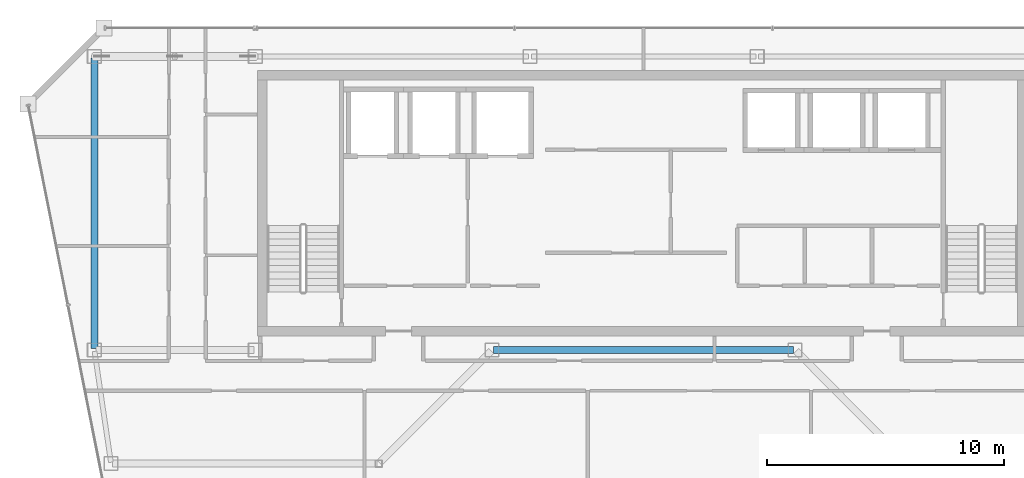
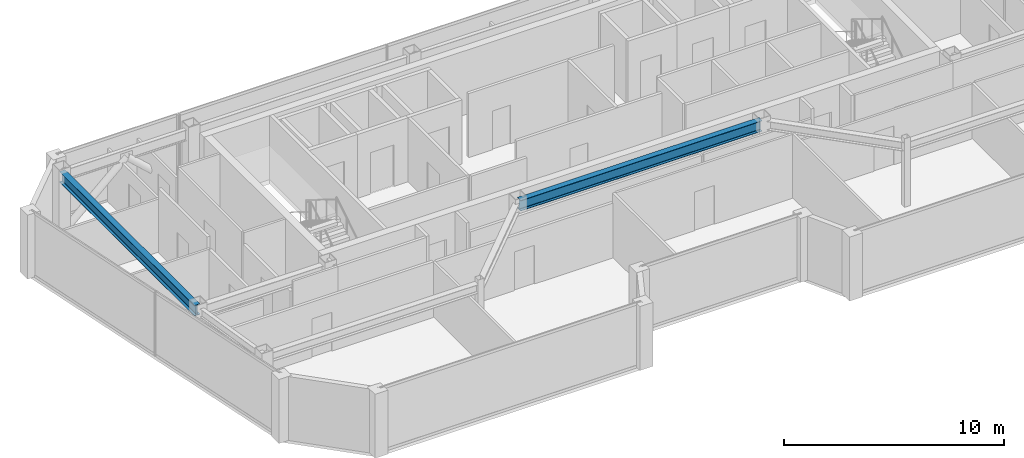
# One storey, part 8 of 24: 2 beams.
"""IFC4 building model written with IfcOpenShell, lengths in metres."""

from ifc_helpers import new_model, si_unit, direction, frame, origin, origin_2d, place, context, subcontext, project, spatial, i_section, extrude, material, material_profile, profile_set, type_object, element, save


model = new_model("IFC4")

# Units and contexts
model_context = context("Model", 3, precision=1e-05, world=origin(), true_north=direction((0.0, 1.0)))
body_context = subcontext(model_context, "Body", "Model", "MODEL_VIEW")
ifc_project = project(units=[si_unit("LENGTHUNIT", "METRE"), si_unit("AREAUNIT", "SQUARE_METRE"), si_unit("VOLUMEUNIT", "CUBIC_METRE"), si_unit("PLANEANGLEUNIT", "RADIAN"), si_unit("MASSUNIT", "GRAM", prefix="KILO")], contexts=[model_context])

# Site, building, storey
site_placement = place(None, origin())
site = spatial("IfcSite", under=ifc_project, at=site_placement, CompositionType="ELEMENT")
building_placement = place(site_placement, origin())
building = spatial("IfcBuilding", under=site, at=building_placement, Name="Saevonmaru Cultural Tower", CompositionType="ELEMENT")
storey_placement = place(building_placement, frame((0.0, 0.0, 299.0)))
storey = spatial("IfcBuildingStorey", under=building, at=storey_placement, Name="L71", CompositionType="ELEMENT", Elevation=299.0)

# Beams
ifc_material = material(Name="Steel SM355", Category="steel")
ifc_material_profile = material_profile(ifc_material, i_section(OverallWidth=0.300048828125, OverallDepth=0.587890625, WebThickness=0.011962890625, FlangeThickness=0.02001953125, FilletRadius=0.02392578125, at=origin_2d()), Name="H-588x300x12x20")
ifc_profile_set = profile_set([ifc_material_profile], Name="Steel SM355")
beam_type = type_object("IfcBeamType", Name="BM-G-H588", PredefinedType="BEAM", material=ifc_profile_set)
beam_1_placement = place(storey_placement, frame((23.659912109375, 42.39990234375, 3.256103515625), z_axis=(1.0, 0.0, 0.0), x_axis=(0.0, 1.0, 0.0)))
element("IfcBeam", 1, at=beam_1_placement, inside=storey, type_object=beam_type, Name="L71 Core South Girder 3", PredefinedType="BEAM", context=body_context, shape_type="SweptSolid", body=[
    extrude(i_section(OverallWidth=0.300048828125, OverallDepth=0.587890625, WebThickness=0.011962890625, FlangeThickness=0.02001953125, FilletRadius=0.02392578125, at=origin_2d()), origin(), (0.0, 0.0, 1.0), 12.68017578125),
])
beam_2_placement = place(storey_placement, frame((6.800048828125, 54.739990234375, 3.256103515625), z_axis=(0.0, -1.0, 0.0), x_axis=(1.0, 0.0, 0.0)))
element("IfcBeam", 2, at=beam_2_placement, inside=storey, type_object=beam_type, Name="L71 Spine Transverse Girder W", PredefinedType="BEAM", context=body_context, shape_type="SweptSolid", body=[
    extrude(i_section(OverallWidth=0.300048828125, OverallDepth=0.587890625, WebThickness=0.011962890625, FlangeThickness=0.02001953125, FilletRadius=0.02392578125, at=origin_2d()), origin(), (0.0, 0.0, 1.0), 12.280029296875),
])

save(model, "model.ifc")
